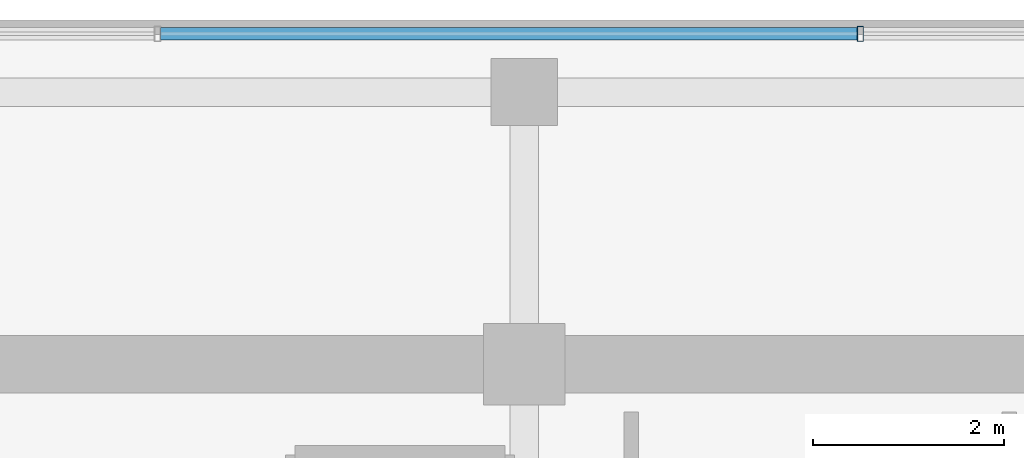
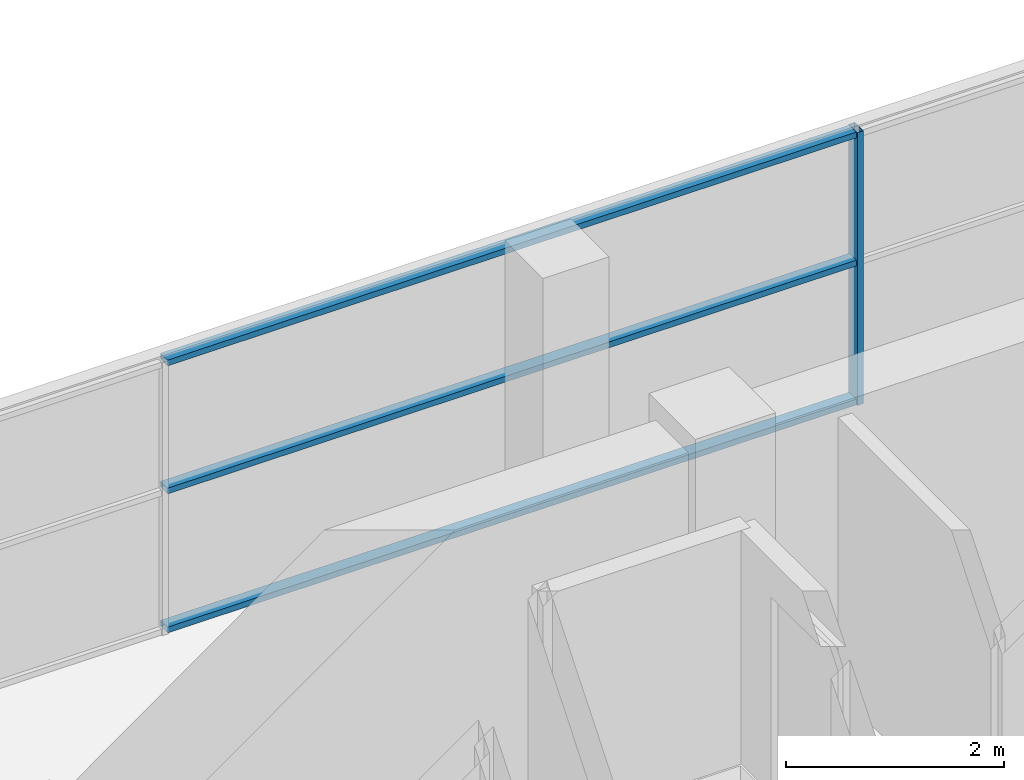
# One storey, part 18 of 29: 4 members, 1 element without a shape of its own.
"""IFC4 building model written with IfcOpenShell, lengths in metres."""

from ifc_helpers import new_model, si_unit, direction, frame, origin, origin_2d, place, context, subcontext, project, spatial, hollow_rectangle, extrude, source, transform, mapped, material, layer, layer_set, material_profile, profile_set, type_object, element, aggregate, save


model = new_model("IFC4")

# Units and contexts
model_context = context("Model", 3, precision=1e-05, world=origin(), true_north=direction((0.0, 1.0)))
body_context = subcontext(model_context, "Body", "Model", "MODEL_VIEW")
ifc_project = project(units=[si_unit("LENGTHUNIT", "METRE"), si_unit("AREAUNIT", "SQUARE_METRE"), si_unit("VOLUMEUNIT", "CUBIC_METRE"), si_unit("PLANEANGLEUNIT", "RADIAN"), si_unit("MASSUNIT", "GRAM", prefix="KILO")], contexts=[model_context])

# Site, building, storey
site_placement = place(None, origin())
site = spatial("IfcSite", under=ifc_project, at=site_placement, CompositionType="ELEMENT")
building_placement = place(site_placement, origin())
building = spatial("IfcBuilding", under=site, at=building_placement, Name="Zarnakvel Exchange Tower", CompositionType="ELEMENT")
storey_placement = place(building_placement, frame((0.0, 0.0, 258.39990234375)))
storey = spatial("IfcBuildingStorey", under=building, at=storey_placement, Name="L73", CompositionType="ELEMENT", Elevation=258.39990234375)

# Curtain wall, members
ifc_material = material(Name="Architectural Bronze Anodised Aluminium", Category="aluminium")
ifc_layer = layer(ifc_material, 0.159912109375)
ifc_layer_set = layer_set([ifc_layer], Name="Architectural Bronze Anodised Aluminium")
curtain_wall_type = type_object("IfcCurtainWallType", Name="CW-06", PredefinedType="NOTDEFINED", material=ifc_layer_set)
curtain_wall_placement = place(storey_placement, origin())
curtain_wall = element("IfcCurtainWall", 1, at=curtain_wall_placement, inside=storey, type_object=curtain_wall_type, Name="L73 Curtain Wall CW-L73-N1 (CW-06)", PredefinedType="NOTDEFINED")
ifc_material_profile_1 = material_profile(ifc_material, hollow_rectangle(XDim=0.159912109375, YDim=0.06494140625, WallThickness=0.00390625, at=origin_2d()))
ifc_profile_set_1 = profile_set([ifc_material_profile_1], Name="Architectural Bronze Anodised Aluminium")
member_type_1 = type_object("IfcMemberType", Name="CWM-06", PredefinedType="MULLION", material=ifc_profile_set_1)
shared_shape_1 = source(origin(), body_context, "Body", "SweptSolid", [
    extrude(hollow_rectangle(XDim=0.159912109375, YDim=0.06494140625, WallThickness=0.00390625, at=origin_2d()), origin(), (0.0, 0.0, 1.0), 3.05517578125),
])
member_1_placement = place(storey_placement, frame((-3.679931640625, 16.9599609375, 0.0), z_axis=(0.0, 0.0, 1.0), x_axis=(0.0, 1.0, 0.0)))
member_1 = element("IfcMember", 2, at=member_1_placement, type_object=member_type_1, Name="CW-06 mullion 3", PredefinedType="MULLION", context=body_context, shape_type="MappedRepresentation", body=[
    mapped(shared_shape_1, transform((0.0, 0.0, 0.0), x_axis=(1.0, 0.0, 0.0), y_axis=(0.0, 1.0, 0.0), z_axis=(0.0, 0.0, 1.0), scale=1.0)),
])
ifc_material_profile_2 = material_profile(ifc_material, hollow_rectangle(XDim=0.1298828125, YDim=0.06494140625, WallThickness=0.00390625, at=origin_2d()))
ifc_profile_set_2 = profile_set([ifc_material_profile_2], Name="Architectural Bronze Anodised Aluminium")
member_type_2 = type_object("IfcMemberType", Name="CWT-06", PredefinedType="USERDEFINED", material=ifc_profile_set_2)
shared_shape_2 = source(origin(), body_context, "Body", "SweptSolid", [
    extrude(hollow_rectangle(XDim=0.1298828125, YDim=0.06494140625, WallThickness=0.00390625, at=origin_2d()), origin(), (0.0, 0.0, 1.0), 7.295166015625),
])
member_2_placement = place(storey_placement, frame((-11.007568359375, 16.9599609375, 0.03271484375), z_axis=(1.0, 0.0, 0.0), x_axis=(0.0, 1.0, 0.0)))
member_2 = element("IfcMember", 3, at=member_2_placement, type_object=member_type_2, Name="CW-06 transom 2.1", ObjectType="TRANSOM", PredefinedType="USERDEFINED", context=body_context, shape_type="MappedRepresentation", body=[
    mapped(shared_shape_2, transform((0.0, 0.0, 0.0), x_axis=(1.0, 0.0, 0.0), y_axis=(0.0, 1.0, 0.0), z_axis=(0.0, 0.0, 1.0), scale=1.0)),
])
member_3_placement = place(storey_placement, frame((-11.007568359375, 16.9599609375, 1.588623046875), z_axis=(1.0, 0.0, 0.0), x_axis=(0.0, 1.0, 0.0)))
member_3 = element("IfcMember", 4, at=member_3_placement, type_object=member_type_2, Name="CW-06 transom 2.2", ObjectType="TRANSOM", PredefinedType="USERDEFINED", context=body_context, shape_type="MappedRepresentation", body=[
    mapped(shared_shape_2, transform((0.0, 0.0, 0.0), x_axis=(1.0, 0.0, 0.0), y_axis=(0.0, 1.0, 0.0), z_axis=(0.0, 0.0, 1.0), scale=1.0)),
])
member_4_placement = place(storey_placement, frame((-11.007568359375, 16.9599609375, 3.022705078125), z_axis=(1.0, 0.0, 0.0), x_axis=(0.0, 1.0, 0.0)))
member_4 = element("IfcMember", 5, at=member_4_placement, type_object=member_type_2, Name="CW-06 transom 2.3", ObjectType="TRANSOM", PredefinedType="USERDEFINED", context=body_context, shape_type="MappedRepresentation", body=[
    mapped(shared_shape_2, transform((0.0, 0.0, 0.0), x_axis=(1.0, 0.0, 0.0), y_axis=(0.0, 1.0, 0.0), z_axis=(0.0, 0.0, 1.0), scale=1.0)),
])
aggregate(curtain_wall, [member_1, member_2, member_3, member_4])

save(model, "model.ifc")
